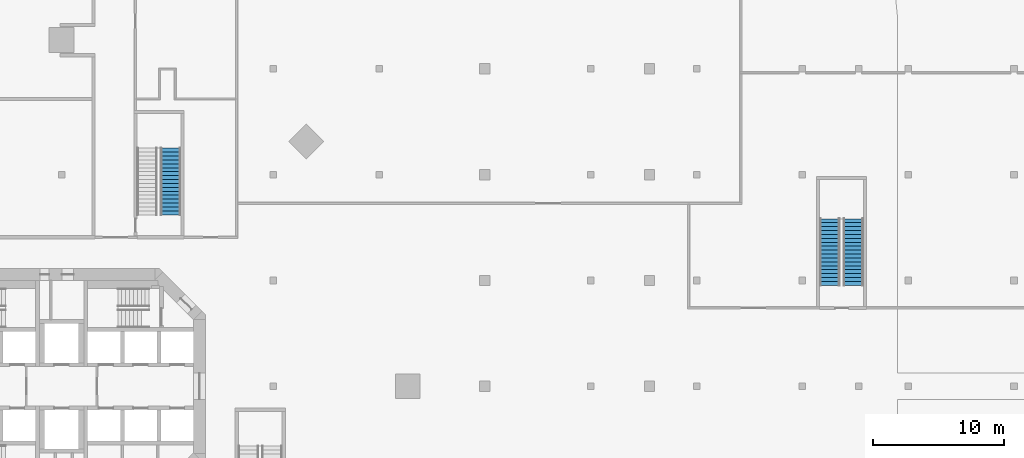
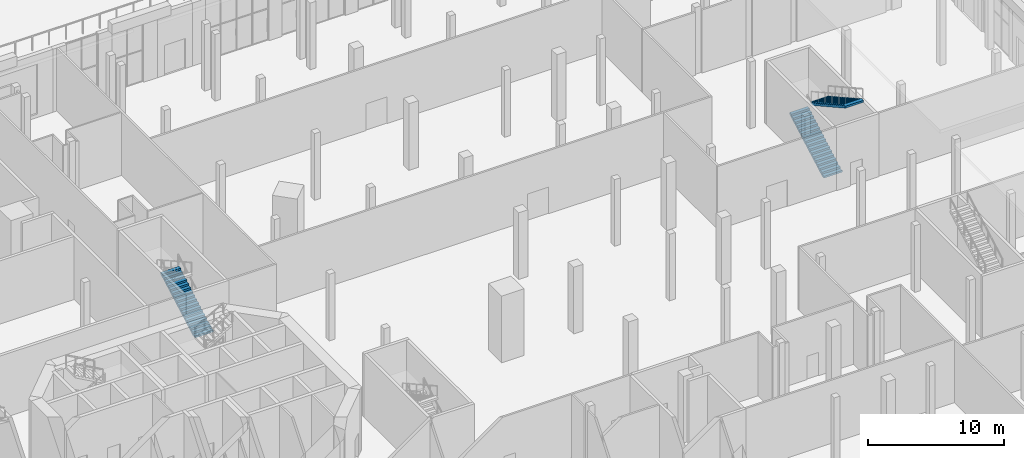
# One storey, part 24 of 32: 3 stair flights, 2 elements without a shape of their own.
"""IFC4 building model written with IfcOpenShell, lengths in metres."""

import ifcopenshell
import ifcopenshell.guid

model = None  # the IFC model being written
_history = None  # IfcOwnerHistory: only IFC2X3 demands one
_inside = {}  # id of a spatial element -> (the spatial element, [elements in it])
_under = {}  # id of a project, library or spatial element -> (it, [spatial elements below it])
_declared = {}  # id of a project -> (the project, [libraries it declares])
_typed = {}  # id of a type object -> (the type object, [elements of that type])
_made_of = {}  # id of a material, layer set ... -> (it, [elements and type objects made of it])


def new_model(schema):
    """Start an empty IFC model of exactly this schema.

    Asked for "IFC4X3", IfcOpenShell would pick the latest addendum, in which some entities
    have other attributes; the version numbers below select the first issue.
    IFC2X3 requires an IfcOwnerHistory on every rooted entity: one is made here for all.
    """
    global model, _history
    if schema == "IFC4X3":
        model = ifcopenshell.file(schema_version=(4, 3, 0, 0))
    else:
        model = ifcopenshell.file(schema=schema)
    _inside.clear()
    _under.clear()
    _declared.clear()
    _typed.clear()
    _made_of.clear()
    _history = None
    if model.schema == "IFC2X3":
        org = make("IfcOrganization", Name="unknown")
        user = make(
            "IfcPersonAndOrganization",
            ThePerson=make("IfcPerson", FamilyName="unknown"),
            TheOrganization=org,
        )
        app = make(
            "IfcApplication",
            ApplicationDeveloper=org,
            Version="unknown",
            ApplicationFullName="unknown",
            ApplicationIdentifier="unknown",
        )
        _history = make(
            "IfcOwnerHistory",
            OwningUser=user,
            OwningApplication=app,
            ChangeAction="ADDED",
            CreationDate=0,
        )
    return model


def make(cls, **values):
    """One entity of the class cls with the attributes given. An attribute that is None is left unset."""
    return model.create_entity(
        cls, **{name: value for name, value in values.items() if value is not None}
    )


def rooted(cls, **values):
    """An entity with a GlobalId (a new one), such as an element, a storey or a relation."""
    return make(cls, GlobalId=ifcopenshell.guid.new(), OwnerHistory=_history, **values)


def si_unit(unit_type, name, prefix=None):
    """IfcSIUnit, for example si_unit("LENGTHUNIT", "METRE", prefix="MILLI")."""
    return make("IfcSIUnit", UnitType=unit_type, Prefix=prefix, Name=name)


def assignment(units):
    """IfcUnitAssignment: the units of a project."""
    return None if units is None else make("IfcUnitAssignment", Units=units)


def point(xyz):
    """IfcCartesianPoint."""
    return None if xyz is None else make("IfcCartesianPoint", Coordinates=xyz)


def direction(xyz):
    """IfcDirection."""
    return None if xyz is None else make("IfcDirection", DirectionRatios=xyz)


def frame(location, z_axis=None, x_axis=None):
    """IfcAxis2Placement3D, a coordinate frame: its origin and axes. An axis left out is left unset."""
    return make(
        "IfcAxis2Placement3D",
        Location=point(location),
        Axis=direction(z_axis),
        RefDirection=direction(x_axis),
    )


def origin():
    """The frame at (0, 0, 0) with its axes left unset."""
    return frame((0.0, 0.0, 0.0))


def place(relative_to, where):
    """IfcLocalPlacement: puts the frame where relative to a parent placement (None: the world)."""
    return make(
        "IfcLocalPlacement", PlacementRelTo=relative_to, RelativePlacement=where
    )


def context(
    kind, dimensions, precision=None, world=None, true_north=None, identifier=None
):
    """IfcGeometricRepresentationContext, for example the 3D "Model" context."""
    return make(
        "IfcGeometricRepresentationContext",
        ContextIdentifier=identifier,
        ContextType=kind,
        CoordinateSpaceDimension=dimensions,
        Precision=precision,
        WorldCoordinateSystem=world,
        TrueNorth=true_north,
    )


def subcontext(parent, identifier, kind, view, scale=None):
    """IfcGeometricRepresentationSubContext, for example "Body" below "Model"."""
    return make(
        "IfcGeometricRepresentationSubContext",
        ContextIdentifier=identifier,
        ContextType=kind,
        ParentContext=parent,
        TargetScale=scale,
        TargetView=view,
    )


def project(units=None, contexts=None):
    """IfcProject with its units and contexts."""
    return rooted(
        "IfcProject",
        Name="project",
        RepresentationContexts=contexts,
        UnitsInContext=assignment(units),
    )


def spatial(cls, under=None, at=None, **own):
    """A site, building, storey or space (cls), placed at a placement, below another one or the project."""
    s = rooted(cls, ObjectPlacement=at, **own)
    if under is not None:
        _under.setdefault(under.id(), (under, []))[1].append(s)
    return s


def polyline(points):
    """IfcPolyline through the points."""
    return make("IfcPolyline", Points=[point(p) for p in points])


def outline(outer, holes=None, kind="AREA"):
    """IfcArbitraryClosedProfileDef: a profile drawn as a closed curve; with holes, ...WithVoids."""
    if holes is None:
        return make("IfcArbitraryClosedProfileDef", ProfileType=kind, OuterCurve=outer)
    return make(
        "IfcArbitraryProfileDefWithVoids",
        ProfileType=kind,
        OuterCurve=outer,
        InnerCurves=holes,
    )


def extrude(swept, where, along, depth):
    """IfcExtrudedAreaSolid: the profile swept, set in the frame where, extruded along a direction by depth."""
    return make(
        "IfcExtrudedAreaSolid",
        SweptArea=swept,
        Position=where,
        ExtrudedDirection=direction(along),
        Depth=depth,
    )


def shape(context_of_items, identifier, shape_type, items):
    """IfcShapeRepresentation: the items that make up one representation, for example the "Body"."""
    return make(
        "IfcShapeRepresentation",
        ContextOfItems=context_of_items,
        RepresentationIdentifier=identifier,
        RepresentationType=shape_type,
        Items=items,
    )


def material(Name=None, Category=None):
    """IfcMaterial."""
    return make("IfcMaterial", Name=Name, Category=Category)


def made_of(thing, what):
    """Note that an element or type object is made of a material, layer set ...; save() writes the relation."""
    if what is not None:
        _made_of.setdefault(what.id(), (what, []))[1].append(thing)
    return thing


def type_object(cls, material=None, **own):
    """A type object (cls), such as IfcWallType, which elements share."""
    return made_of(rooted(cls, **own), material)


def element(
    cls,
    number,
    at=None,
    inside=None,
    cuts=None,
    type_object=None,
    material=None,
    context=None,
    identifier="Body",
    shape_type=None,
    held_by="IfcProductDefinitionShape",
    body=None,
    shapes=None,
    **own,
):
    """One element of the class cls, such as IfcWall. Its Tag is "e" and its number.

    at: its placement. inside: the storey or other place that contains it. cuts: it is an
    opening in that element (IfcRelVoidsElement). A single representation is given by context,
    identifier, shape_type and body (its items); several are given by shapes. held_by: the class
    of the entity that holds the representations. save() writes the other relations.
    """
    e = rooted(cls, Tag="e%d" % number, ObjectPlacement=at, **own)
    if body is not None:
        shapes = [shape(context, identifier, shape_type, body)]
    if shapes is not None:
        e.Representation = make(held_by, Representations=shapes)
    if inside is not None:
        _inside.setdefault(inside.id(), (inside, []))[1].append(e)
    if cuts is not None:
        rooted(
            "IfcRelVoidsElement", RelatingBuildingElement=cuts, RelatedOpeningElement=e
        )
    if type_object is not None:
        _typed.setdefault(type_object.id(), (type_object, []))[1].append(e)
    return made_of(e, material)


def aggregate(whole, parts):
    """IfcRelAggregates: a whole, such as a stair, and the parts it consists of."""
    return rooted("IfcRelAggregates", RelatingObject=whole, RelatedObjects=parts)


def save(model, path):
    """Write the relations noted so far, then the file.

    IfcRelAggregates (storeys below a building ...), IfcRelContainedInSpatialStructure (elements
    in a storey), IfcRelDefinesByType, IfcRelAssociatesMaterial and IfcRelDeclares: one each for
    every whole, place, type object, material and project.
    """
    for whole, parts in _under.values():
        aggregate(whole, parts)
    for where, things in _inside.values():
        rooted(
            "IfcRelContainedInSpatialStructure",
            RelatedElements=things,
            RelatingStructure=where,
        )
    for kind, things in _typed.values():
        rooted("IfcRelDefinesByType", RelatedObjects=things, RelatingType=kind)
    for what, things in _made_of.values():
        rooted("IfcRelAssociatesMaterial", RelatedObjects=things, RelatingMaterial=what)
    for by, libraries in _declared.values():
        rooted("IfcRelDeclares", RelatingContext=by, RelatedDefinitions=libraries)
    model.write(path)


model = new_model("IFC4")

# Units and contexts
model_context = context("Model", 3, precision=1e-05, world=origin(), true_north=direction((0.0, 1.0)))
body_context = subcontext(model_context, "Body", "Model", "MODEL_VIEW")
ifc_project = project(units=[si_unit("LENGTHUNIT", "METRE"), si_unit("AREAUNIT", "SQUARE_METRE"), si_unit("VOLUMEUNIT", "CUBIC_METRE"), si_unit("PLANEANGLEUNIT", "RADIAN"), si_unit("MASSUNIT", "GRAM", prefix="KILO")], contexts=[model_context])

# Site, building, storey
site_placement = place(None, origin())
site = spatial("IfcSite", under=ifc_project, at=site_placement, CompositionType="ELEMENT")
building_placement = place(site_placement, origin())
building = spatial("IfcBuilding", under=site, at=building_placement, Name="Torre Triforio", CompositionType="ELEMENT")
storey_placement = place(building_placement, origin())
storey = spatial("IfcBuildingStorey", under=building, at=storey_placement, Name="L00", CompositionType="ELEMENT", Elevation=0.0)

# Stair, stair flight
ifc_material = material(Name="Concrete C40", Category="concrete")
stair_type = type_object("IfcStairType", Name="Egress stair 1400 clear", PredefinedType="NOTDEFINED", material=ifc_material)
stair_1_placement = place(storey_placement, origin())
stair_1 = element("IfcStair", 1, at=stair_1_placement, inside=storey, type_object=stair_type, Name="Exit stair PS4 L00 to L01", PredefinedType="NOTDEFINED")
stair_flight_type = type_object("IfcStairFlightType", Name="Egress stair flight 1400", PredefinedType="STRAIGHT", material=ifc_material)
stair_flight_1_placement = place(storey_placement, frame((8.35009765625, 13.125, 0.0), z_axis=(0.0, 0.0, 1.0), x_axis=(0.0, 1.0, 0.0)))
stair_flight_1 = element("IfcStairFlight", 2, at=stair_flight_1_placement, type_object=stair_flight_type, Name="PS4 flight 1", NumberOfRisers=18, NumberOfTreads=17, PredefinedType="STRAIGHT", RiserHeight=0.166666667, TreadLength=0.3, context=body_context, shape_type="SweptSolid", body=[
    extrude(outline(polyline([(0.0, 0.0), (0.0, 0.166748046875), (0.300048828125, 0.166748046875), (0.300048828125, 0.333251953125), (0.60009765625, 0.333251953125), (0.60009765625, 0.5), (0.89990234375, 0.5), (0.89990234375, 0.666748046875), (1.199951171875, 0.666748046875), (1.199951171875, 0.833251953125), (1.5, 0.833251953125), (1.5, 1.0), (1.800048828125, 1.0), (1.800048828125, 1.166748046875), (2.10009765625, 1.166748046875), (2.10009765625, 1.333251953125), (2.39990234375, 1.333251953125), (2.39990234375, 1.5), (2.699951171875, 1.5), (2.699951171875, 1.666748046875), (3.0, 1.666748046875), (3.0, 1.833251953125), (3.300048828125, 1.833251953125), (3.300048828125, 2.0), (3.60009765625, 2.0), (3.60009765625, 2.166748046875), (3.89990234375, 2.166748046875), (3.89990234375, 2.333251953125), (4.199951171875, 2.333251953125), (4.199951171875, 2.5), (4.5, 2.5), (4.5, 2.666748046875), (4.800048828125, 2.666748046875), (4.800048828125, 2.833251953125), (5.10009765625, 2.833251953125), (5.10009765625, 3.0), (5.10009765625, 2.661865234375), (0.30859375, 0.0), (0.0, 0.0)])), frame((0.0, 0.77490234375, 0.0), z_axis=(0.0, -1.0, 0.0), x_axis=(1.0, 0.0, 0.0)), (0.0, 0.0, 1.0), 1.550048828125),
])
aggregate(stair_1, [stair_flight_1])

# Stair, stair flights
stair_2_placement = place(storey_placement, origin())
stair_2 = element("IfcStair", 3, at=stair_2_placement, inside=storey, type_object=stair_type, Name="Exit stair PS5 L00 to L01", PredefinedType="NOTDEFINED")
stair_flight_2_placement = place(storey_placement, frame((58.800048828125, 7.72509765625, 0.0), z_axis=(0.0, 0.0, 1.0), x_axis=(0.0, 1.0, 0.0)))
stair_flight_2 = element("IfcStairFlight", 4, at=stair_flight_2_placement, type_object=stair_flight_type, Name="PS5 flight 1", NumberOfRisers=18, NumberOfTreads=17, PredefinedType="STRAIGHT", RiserHeight=0.166666667, TreadLength=0.3, context=body_context, shape_type="SweptSolid", body=[
    extrude(outline(polyline([(0.0, 0.0), (0.0, 0.166748046875), (0.300048828125, 0.166748046875), (0.300048828125, 0.333251953125), (0.60009765625, 0.333251953125), (0.60009765625, 0.5), (0.89990234375, 0.5), (0.89990234375, 0.666748046875), (1.199951171875, 0.666748046875), (1.199951171875, 0.833251953125), (1.5, 0.833251953125), (1.5, 1.0), (1.800048828125, 1.0), (1.800048828125, 1.166748046875), (2.10009765625, 1.166748046875), (2.10009765625, 1.333251953125), (2.39990234375, 1.333251953125), (2.39990234375, 1.5), (2.699951171875, 1.5), (2.699951171875, 1.666748046875), (3.0, 1.666748046875), (3.0, 1.833251953125), (3.300048828125, 1.833251953125), (3.300048828125, 2.0), (3.60009765625, 2.0), (3.60009765625, 2.166748046875), (3.89990234375, 2.166748046875), (3.89990234375, 2.333251953125), (4.199951171875, 2.333251953125), (4.199951171875, 2.5), (4.5, 2.5), (4.5, 2.666748046875), (4.800048828125, 2.666748046875), (4.800048828125, 2.833251953125), (5.10009765625, 2.833251953125), (5.10009765625, 3.0), (5.10009765625, 2.661865234375), (0.30859375, 0.0), (0.0, 0.0)])), frame((0.0, 0.77490234375, 0.0), z_axis=(0.0, -1.0, 0.0), x_axis=(1.0, 0.0, 0.0)), (0.0, 0.0, 1.0), 1.550048828125),
])
stair_flight_3_placement = place(storey_placement, frame((60.60009765625, 12.824951171875, 3.0), z_axis=(0.0, 0.0, 1.0), x_axis=(0.0, -1.0, 0.0)))
stair_flight_3 = element("IfcStairFlight", 5, at=stair_flight_3_placement, type_object=stair_flight_type, Name="PS5 flight 2", NumberOfRisers=18, NumberOfTreads=17, PredefinedType="STRAIGHT", RiserHeight=0.166666667, TreadLength=0.3, context=body_context, shape_type="SweptSolid", body=[
    extrude(outline(polyline([(0.0, 0.0), (0.0, 0.166748046875), (0.300048828125, 0.166748046875), (0.300048828125, 0.333251953125), (0.60009765625, 0.333251953125), (0.60009765625, 0.5), (0.89990234375, 0.5), (0.89990234375, 0.666748046875), (1.199951171875, 0.666748046875), (1.199951171875, 0.833251953125), (1.5, 0.833251953125), (1.5, 1.0), (1.800048828125, 1.0), (1.800048828125, 1.166748046875), (2.10009765625, 1.166748046875), (2.10009765625, 1.333251953125), (2.39990234375, 1.333251953125), (2.39990234375, 1.5), (2.699951171875, 1.5), (2.699951171875, 1.666748046875), (3.0, 1.666748046875), (3.0, 1.833251953125), (3.300048828125, 1.833251953125), (3.300048828125, 2.0), (3.60009765625, 2.0), (3.60009765625, 2.166748046875), (3.89990234375, 2.166748046875), (3.89990234375, 2.333251953125), (4.199951171875, 2.333251953125), (4.199951171875, 2.5), (4.5, 2.5), (4.5, 2.666748046875), (4.800048828125, 2.666748046875), (4.800048828125, 2.833251953125), (5.10009765625, 2.833251953125), (5.10009765625, 3.0), (5.10009765625, 2.661865234375), (0.30859375, 0.0), (0.0, 0.0)])), frame((0.0, 0.77490234375, 0.0), z_axis=(0.0, -1.0, 0.0), x_axis=(1.0, 0.0, 0.0)), (0.0, 0.0, 1.0), 1.550048828125),
])
aggregate(stair_2, [stair_flight_2, stair_flight_3])

save(model, "model.ifc")
